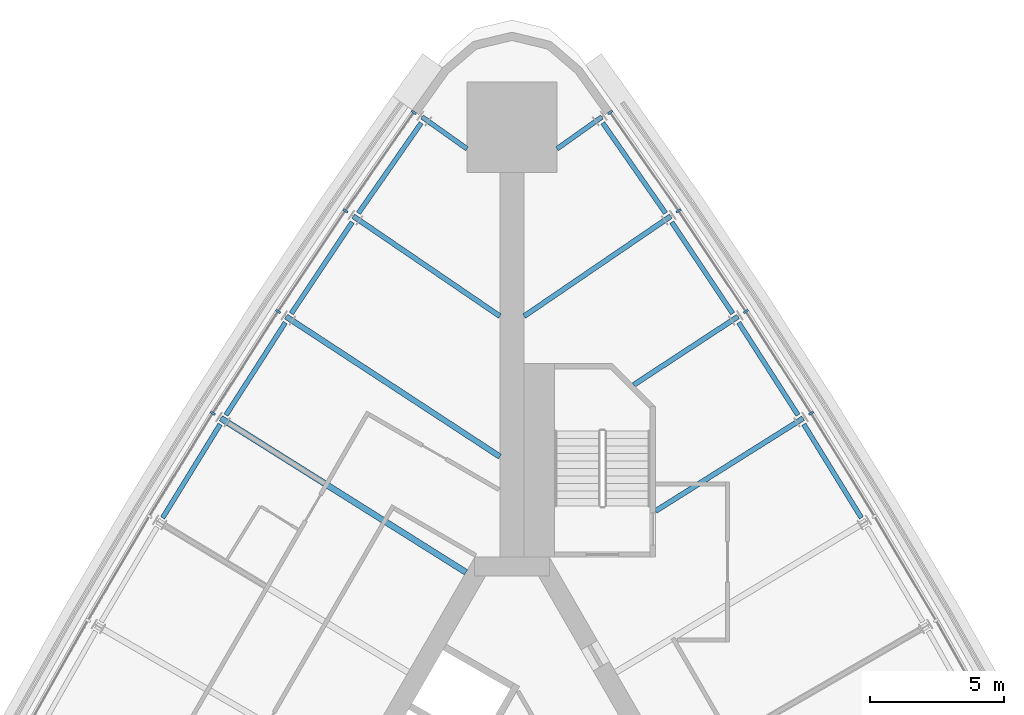
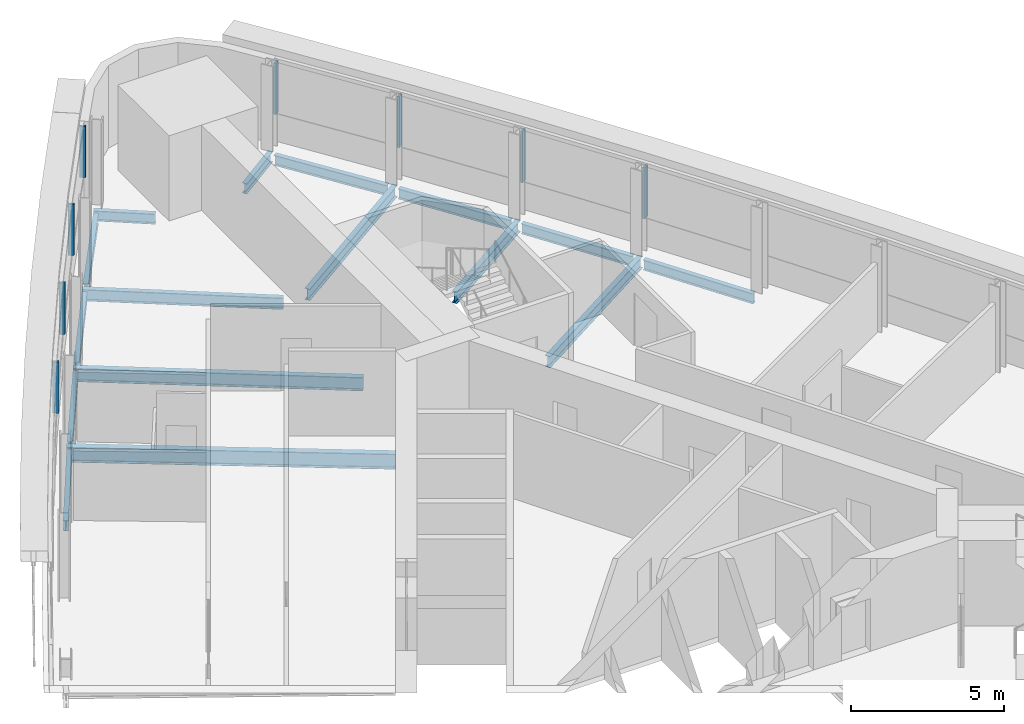
# One storey, part 8 of 14: 16 beams, 8 members, 2 elements without a shape of their own.
"""IFC4 building model written with IfcOpenShell, lengths in metres."""

from ifc_helpers import new_model, si_unit, direction, frame, origin, origin_2d, place, context, subcontext, project, spatial, rectangle, i_section, extrude, material, material_profile, profile_set, type_object, element, aggregate, save


model = new_model("IFC4")

# Units and contexts
model_context = context("Model", 3, precision=1e-05, world=origin(), true_north=direction((0.0, 1.0)))
body_context = subcontext(model_context, "Body", "Model", "MODEL_VIEW")
ifc_project = project(units=[si_unit("LENGTHUNIT", "METRE"), si_unit("AREAUNIT", "SQUARE_METRE"), si_unit("VOLUMEUNIT", "CUBIC_METRE"), si_unit("PLANEANGLEUNIT", "RADIAN"), si_unit("MASSUNIT", "GRAM", prefix="KILO")], contexts=[model_context])

# Site, building, storey
site_placement = place(None, origin())
site = spatial("IfcSite", under=ifc_project, at=site_placement, CompositionType="ELEMENT")
building_placement = place(site_placement, origin())
building = spatial("IfcBuilding", under=site, at=building_placement, Name="Noor Cloister Tower", CompositionType="ELEMENT")
storey_placement = place(building_placement, frame((0.0, 0.0, 34.800048828125)))
storey = spatial("IfcBuildingStorey", under=building, at=storey_placement, Name="L08", CompositionType="ELEMENT", Elevation=34.800048828125)

# Curtain wall, members
ifc_material_1 = material(Name="Aluminium 6063-T6 anodised", Category="aluminium")
curtain_wall_type = type_object("IfcCurtainWallType", Name="Ribbon curtain wall, lower tower CW1", PredefinedType="NOTDEFINED", material=ifc_material_1)
curtain_wall_1_placement = place(storey_placement, origin())
curtain_wall_1 = element("IfcCurtainWall", 1, at=curtain_wall_1_placement, inside=storey, type_object=curtain_wall_type, Name="CW1 L08 NW run 1", PredefinedType="NOTDEFINED")
ifc_material_2 = material(Name="Aluminium 6063-T6 anodised", Category="aluminium")
ifc_material_profile_1 = material_profile(ifc_material_2, rectangle(XDim=0.199951171875, YDim=0.080078125, at=origin_2d()), Name="200 x 80 mullion")
ifc_profile_set_1 = profile_set([ifc_material_profile_1], Name="Aluminium 6063-T6 anodised")
member_type = type_object("IfcMemberType", Name="Mullion CW1 80 x 200", PredefinedType="MULLION", material=ifc_profile_set_1)
member_1_placement = place(storey_placement, frame((-3.649658203125, 27.994140625, 1.099853515625), z_axis=(0.0, 0.0, 1.0), x_axis=(0.820865114232, -0.571122109742, 0.0)))
member_1 = element("IfcMember", 2, at=member_1_placement, type_object=member_type, Name="CW1 mullion 1", PredefinedType="MULLION", context=body_context, shape_type="SweptSolid", body=[
    extrude(rectangle(XDim=0.199951171875, YDim=0.080078125, at=origin_2d()), origin(), (0.0, 0.0, 1.0), 2.050048828125),
])
member_2_placement = place(storey_placement, frame((-6.1962890625, 24.333984375, 1.099853515625), z_axis=(0.0, 0.0, 1.0), x_axis=(0.826176871189, -0.563410842558, 0.0)))
member_2 = element("IfcMember", 3, at=member_2_placement, type_object=member_type, Name="CW1 mullion 2", PredefinedType="MULLION", context=body_context, shape_type="SweptSolid", body=[
    extrude(rectangle(XDim=0.199951171875, YDim=0.080078125, at=origin_2d()), origin(), (0.0, 0.0, 1.0), 2.050048828125),
])
member_3_placement = place(storey_placement, frame((-8.69580078125, 20.59423828125, 1.099853515625), z_axis=(0.0, 0.0, 1.0), x_axis=(0.836582621682, -0.547840777143, 0.0)))
member_3 = element("IfcMember", 4, at=member_3_placement, type_object=member_type, Name="CW1 mullion 3", PredefinedType="MULLION", context=body_context, shape_type="SweptSolid", body=[
    extrude(rectangle(XDim=0.199951171875, YDim=0.080078125, at=origin_2d()), origin(), (0.0, 0.0, 1.0), 2.050048828125),
])
member_4_placement = place(storey_placement, frame((-11.12451171875, 16.808349609375, 1.099853515625), z_axis=(0.0, 0.0, 1.0), x_axis=(0.846694967857, -0.532078595139, 0.0)))
member_4 = element("IfcMember", 5, at=member_4_placement, type_object=member_type, Name="CW1 mullion 4", PredefinedType="MULLION", context=body_context, shape_type="SweptSolid", body=[
    extrude(rectangle(XDim=0.199951171875, YDim=0.080078125, at=origin_2d()), origin(), (0.0, 0.0, 1.0), 2.050048828125),
])
aggregate(curtain_wall_1, [member_1, member_2, member_3, member_4])

curtain_wall_2_placement = place(storey_placement, origin())
curtain_wall_2 = element("IfcCurtainWall", 6, at=curtain_wall_2_placement, inside=storey, type_object=curtain_wall_type, Name="CW1 L08 NE run 3", PredefinedType="NOTDEFINED")
member_5_placement = place(storey_placement, frame((11.12451171875, 16.808349609375, 1.099853515625), z_axis=(0.0, 0.0, 1.0), x_axis=(-0.846694967857, -0.532078595139, 0.0)))
member_5 = element("IfcMember", 7, at=member_5_placement, type_object=member_type, Name="CW1 mullion 8", PredefinedType="MULLION", context=body_context, shape_type="SweptSolid", body=[
    extrude(rectangle(XDim=0.199951171875, YDim=0.080078125, at=origin_2d()), origin(), (0.0, 0.0, 1.0), 2.050048828125),
])
member_6_placement = place(storey_placement, frame((8.69580078125, 20.59423828125, 1.099853515625), z_axis=(0.0, 0.0, 1.0), x_axis=(-0.836582621682, -0.547840777143, 0.0)))
member_6 = element("IfcMember", 8, at=member_6_placement, type_object=member_type, Name="CW1 mullion 9", PredefinedType="MULLION", context=body_context, shape_type="SweptSolid", body=[
    extrude(rectangle(XDim=0.199951171875, YDim=0.080078125, at=origin_2d()), origin(), (0.0, 0.0, 1.0), 2.050048828125),
])
member_7_placement = place(storey_placement, frame((6.1962890625, 24.333984375, 1.099853515625), z_axis=(0.0, 0.0, 1.0), x_axis=(-0.826176871189, -0.563410842558, 0.0)))
member_7 = element("IfcMember", 9, at=member_7_placement, type_object=member_type, Name="CW1 mullion 10", PredefinedType="MULLION", context=body_context, shape_type="SweptSolid", body=[
    extrude(rectangle(XDim=0.199951171875, YDim=0.080078125, at=origin_2d()), origin(), (0.0, 0.0, 1.0), 2.050048828125),
])
member_8_placement = place(storey_placement, frame((3.649658203125, 27.994140625, 1.099853515625), z_axis=(0.0, 0.0, 1.0), x_axis=(-0.820865114232, -0.571122109742, 0.0)))
member_8 = element("IfcMember", 10, at=member_8_placement, type_object=member_type, Name="CW1 mullion 11", PredefinedType="MULLION", context=body_context, shape_type="SweptSolid", body=[
    extrude(rectangle(XDim=0.199951171875, YDim=0.080078125, at=origin_2d()), origin(), (0.0, 0.0, 1.0), 2.050048828125),
])
aggregate(curtain_wall_2, [member_5, member_6, member_7, member_8])

# Beams
ifc_material_3 = material(Name="Steel ASTM A992 Gr 50", Category="steel")
ifc_material_profile_2 = material_profile(ifc_material_3, i_section(OverallWidth=0.177978515625, OverallDepth=0.406005859375, WebThickness=0.0078125, FlangeThickness=0.0126953125, FilletRadius=0.01025390625, at=origin_2d()), Name="W410x60")
ifc_profile_set_2 = profile_set([ifc_material_profile_2], Name="Steel ASTM A992 Gr 50")
beam_type_1 = type_object("IfcBeamType", Name="Radial beam W410x60", PredefinedType="BEAM", material=ifc_profile_set_2)
for number, where, z_axis, x_axis, name in (
    (11, (-3.339599609375, 27.822021484375, -0.403076171875), (0.815483470887, -0.578780363101, 0.0), (0.578780363101, 0.815483470887, 0.0), "Radial beam NW 01 L08"),
    (12, (3.339599609375, 27.822021484375, -0.403076171875), (-0.815483470887, -0.578780363101, 0.0), (0.578780363101, -0.815483470887, 0.0), "Radial beam NE 11 L08"),
):
    element("IfcBeam", number, at=place(storey_placement, frame(where, z_axis=z_axis, x_axis=x_axis)), inside=storey, type_object=beam_type_1, Name=name, PredefinedType="BEAM", context=body_context, shape_type="SweptSolid", body=[
        extrude(i_section(OverallWidth=0.177978515625, OverallDepth=0.406005859375, WebThickness=0.0078125, FlangeThickness=0.0126953125, FilletRadius=0.01025390625, at=origin_2d()), origin(), (0.0, 0.0, 1.0), 2.041259765625),
    ])
ifc_material_4 = material(Name="Steel ASTM A992 Gr 50", Category="steel")
ifc_material_profile_3 = material_profile(ifc_material_4, i_section(OverallWidth=0.19091796875, OverallDepth=0.45703125, WebThickness=0.009033203125, FlangeThickness=0.014404296875, FilletRadius=0.01025390625, at=origin_2d()), Name="W460x74")
ifc_profile_set_3 = profile_set([ifc_material_profile_3], Name="Steel ASTM A992 Gr 50")
beam_type_2 = type_object("IfcBeamType", Name="Radial beam W460x74", PredefinedType="BEAM", material=ifc_profile_set_3)
beam_1_placement = place(storey_placement, frame((-5.90478515625, 24.135009765625, -0.428466796875), z_axis=(0.826190572063, -0.563390751285, 0.0), x_axis=(0.563390751285, 0.826190572063, 0.0)))
element("IfcBeam", 13, at=beam_1_placement, inside=storey, type_object=beam_type_2, Name="Radial beam NW 02 L08", PredefinedType="BEAM", context=body_context, shape_type="SweptSolid", body=[
    extrude(i_section(OverallWidth=0.19091796875, OverallDepth=0.45703125, WebThickness=0.009033203125, FlangeThickness=0.014404296875, FilletRadius=0.01025390625, at=origin_2d()), origin(), (0.0, 0.0, 1.0), 6.602294921875),
])
beam_2_placement = place(storey_placement, frame((10.82568359375, 16.62060546875, -0.428466796875), z_axis=(-0.846682107537, -0.532099059177, 0.0), x_axis=(0.532099059177, -0.846682107537, 0.0)))
element("IfcBeam", 14, at=beam_2_placement, inside=storey, type_object=beam_type_2, Name="Radial beam NE 08 L08", PredefinedType="BEAM", context=body_context, shape_type="SweptSolid", body=[
    extrude(i_section(OverallWidth=0.19091796875, OverallDepth=0.45703125, WebThickness=0.009033203125, FlangeThickness=0.014404296875, FilletRadius=0.01025390625, at=origin_2d()), origin(), (0.0, 0.0, 1.0), 6.484130859375),
])
beam_3_placement = place(storey_placement, frame((8.400390625, 20.40087890625, -0.428466796875), z_axis=(-0.836573643515, -0.547854487045, 0.0), x_axis=(0.547854487045, -0.836573643515, 0.0)))
element("IfcBeam", 15, at=beam_3_placement, inside=storey, type_object=beam_type_2, Name="Radial beam NE 09 L08", PredefinedType="BEAM", context=body_context, shape_type="SweptSolid", body=[
    extrude(i_section(OverallWidth=0.19091796875, OverallDepth=0.45703125, WebThickness=0.009033203125, FlangeThickness=0.014404296875, FilletRadius=0.01025390625, at=origin_2d()), origin(), (0.0, 0.0, 1.0), 4.629638671875),
])
beam_4_placement = place(storey_placement, frame((5.90478515625, 24.135009765625, -0.428466796875), z_axis=(-0.826190572063, -0.563390751285, 0.0), x_axis=(0.563390751285, -0.826190572063, 0.0)))
element("IfcBeam", 16, at=beam_4_placement, inside=storey, type_object=beam_type_2, Name="Radial beam NE 10 L08", PredefinedType="BEAM", context=body_context, shape_type="SweptSolid", body=[
    extrude(i_section(OverallWidth=0.19091796875, OverallDepth=0.45703125, WebThickness=0.009033203125, FlangeThickness=0.014404296875, FilletRadius=0.01025390625, at=origin_2d()), origin(), (0.0, 0.0, 1.0), 6.602294921875),
])
ifc_material_5 = material(Name="Steel ASTM A992 Gr 50", Category="steel")
ifc_material_profile_4 = material_profile(ifc_material_5, i_section(OverallWidth=0.208984375, OverallDepth=0.532958984375, WebThickness=0.01025390625, FlangeThickness=0.015625, FilletRadius=0.0126953125, at=origin_2d()), Name="W530x92")
ifc_profile_set_4 = profile_set([ifc_material_profile_4], Name="Steel ASTM A992 Gr 50")
beam_type_3 = type_object("IfcBeamType", Name="Radial beam W530x92", PredefinedType="BEAM", material=ifc_profile_set_4)
beam_5_placement = place(storey_placement, frame((-8.400390625, 20.40087890625, -0.466552734375), z_axis=(0.836586991604, -0.547834103975, 0.0), x_axis=(0.547834103975, 0.836586991604, 0.0)))
element("IfcBeam", 17, at=beam_5_placement, inside=storey, type_object=beam_type_3, Name="Radial beam NW 03 L08", PredefinedType="BEAM", context=body_context, shape_type="SweptSolid", body=[
    extrude(i_section(OverallWidth=0.208984375, OverallDepth=0.532958984375, WebThickness=0.01025390625, FlangeThickness=0.015625, FilletRadius=0.0126953125, at=origin_2d()), origin(), (0.0, 0.0, 1.0), 9.50341796875),
])
ifc_material_6 = material(Name="Steel ASTM A992 Gr 50", Category="steel")
ifc_material_profile_5 = material_profile(ifc_material_6, i_section(OverallWidth=0.22802734375, OverallDepth=0.60205078125, WebThickness=0.010498046875, FlangeThickness=0.014892578125, FilletRadius=0.0126953125, at=origin_2d()), Name="W610x101")
ifc_profile_set_5 = profile_set([ifc_material_profile_5], Name="Steel ASTM A992 Gr 50")
beam_type_4 = type_object("IfcBeamType", Name="Radial beam W610x101", PredefinedType="BEAM", material=ifc_profile_set_5)
beam_6_placement = place(storey_placement, frame((-10.82568359375, 16.62060546875, -0.5009765625), z_axis=(0.846692307637, -0.532082828315, 0.0), x_axis=(0.532082828315, 0.846692307637, 0.0)))
element("IfcBeam", 18, at=beam_6_placement, inside=storey, type_object=beam_type_4, Name="Radial beam NW 04 L08", PredefinedType="BEAM", context=body_context, shape_type="SweptSolid", body=[
    extrude(i_section(OverallWidth=0.22802734375, OverallDepth=0.60205078125, WebThickness=0.010498046875, FlangeThickness=0.014892578125, FilletRadius=0.0126953125, at=origin_2d()), origin(), (0.0, 0.0, 1.0), 10.764892578125),
])
ifc_material_7 = material(Name="Steel ASTM A992 Gr 50", Category="steel")
ifc_material_profile_6 = material_profile(ifc_material_7, i_section(OverallWidth=0.177978515625, OverallDepth=0.406005859375, WebThickness=0.0078125, FlangeThickness=0.0126953125, FilletRadius=0.01025390625, at=origin_2d()), Name="W410x60")
ifc_profile_set_6 = profile_set([ifc_material_profile_6], Name="Steel ASTM A992 Gr 50")
beam_type_5 = type_object("IfcBeamType", Name="Spandrel beam W410x60", PredefinedType="SPANDREL", material=ifc_profile_set_6)
for number, where, z_axis, x_axis, name in (
    (19, (-3.375732421875, 27.60009765625, -0.403076171875), (-0.571138018777, -0.820854045192, 0.0), (0.820854045192, -0.571138018777, 0.0), "Spandrel beam NW 01 L08"),
    (20, (-5.936767578125, 23.91259765625, -0.403076171875), (-0.555651299127, -0.831415439945, 0.0), (0.831415439945, -0.555651299127, 0.0), "Spandrel beam NW 02 L08"),
    (21, (-8.42822265625, 20.177734375, -0.403076171875), (-0.540011404368, -0.841657699515, 0.0), (0.841657699515, -0.540011404368, 0.0), "Spandrel beam NW 03 L08"),
    (22, (-10.849365234375, 16.39697265625, -0.403076171875), (-0.524164102598, -0.851617281147, 0.0), (0.851617281147, -0.524164102598, 0.0), "Spandrel beam NW 04 L08"),
    (23, (12.990966796875, 12.91748046875, -0.403076171875), (-0.524164102598, 0.851617281147, 0.0), (-0.851617281147, -0.524164102598, 0.0), "Spandrel beam NE 07 L08"),
    (24, (10.634521484375, 16.739013671875, -0.403076171875), (-0.540011404368, 0.841657699515, 0.0), (-0.841657699515, -0.540011404368, 0.0), "Spandrel beam NE 08 L08"),
    (25, (8.20703125, 20.515625, -0.403076171875), (-0.555651299127, 0.831415439945, 0.0), (-0.831415439945, -0.555651299127, 0.0), "Spandrel beam NE 09 L08"),
    (26, (5.709228515625, 24.246337890625, -0.403076171875), (-0.571138018777, 0.820854045192, 0.0), (-0.820854045192, -0.571138018777, 0.0), "Spandrel beam NE 10 L08"),
):
    element("IfcBeam", number, at=place(storey_placement, frame(where, z_axis=z_axis, x_axis=x_axis)), inside=storey, type_object=beam_type_5, Name=name, PredefinedType="SPANDREL", context=body_context, shape_type="SweptSolid", body=[
        extrude(i_section(OverallWidth=0.177978515625, OverallDepth=0.406005859375, WebThickness=0.0078125, FlangeThickness=0.0126953125, FilletRadius=0.01025390625, at=origin_2d()), origin(), (0.0, 0.0, 1.0), 4.085693359375),
    ])

save(model, "model.ifc")
